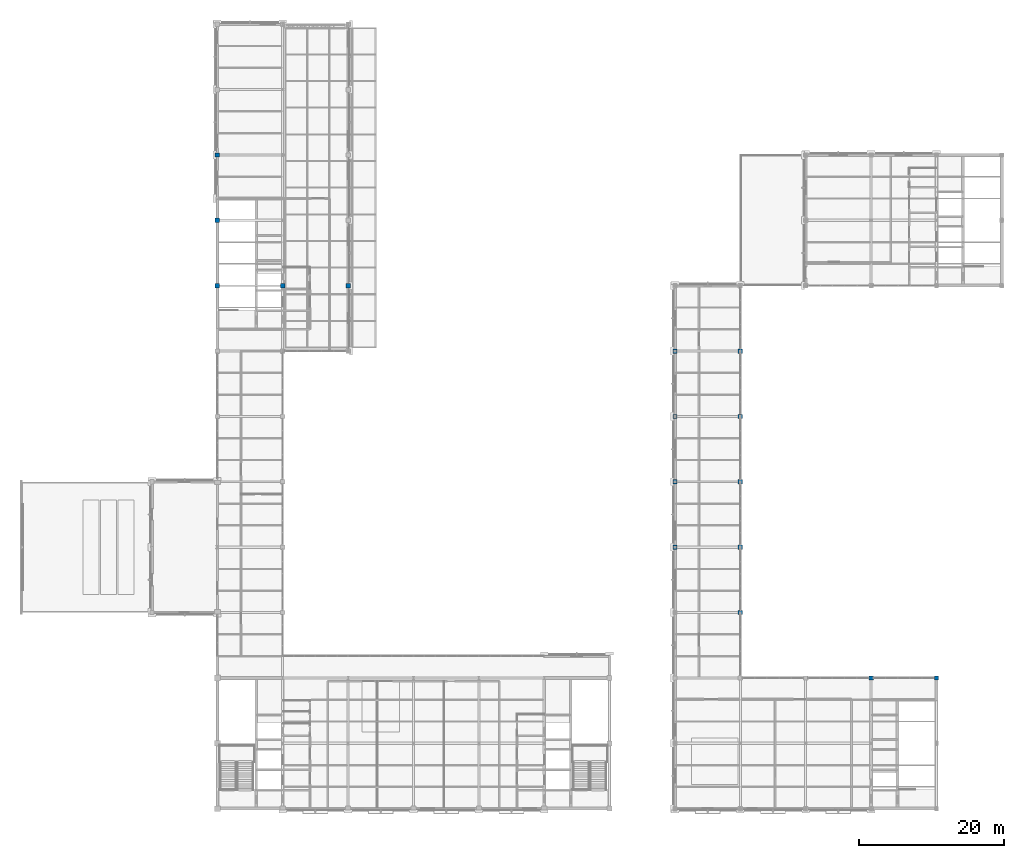
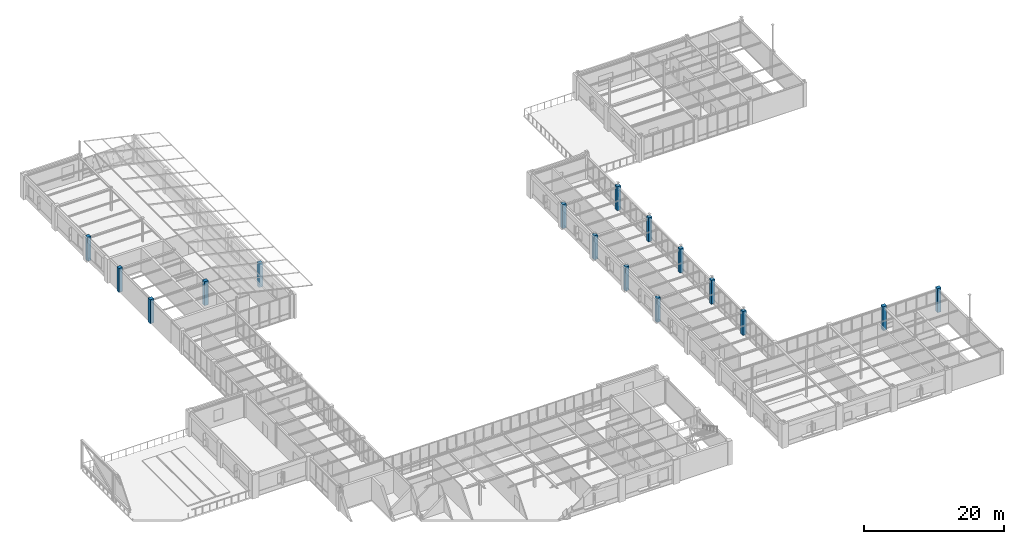
# One storey, part 6 of 97: 16 columns.
"""IFC4 building model written with IfcOpenShell, lengths in metres."""

from ifc_helpers import new_model, si_unit, direction, frame, origin, origin_2d, place, context, subcontext, project, spatial, rectangle, extrude, material, material_profile, profile_set, type_object, element, save


model = new_model("IFC4")

# Units and contexts
model_context = context("Model", 3, precision=1e-05, world=origin(), true_north=direction((0.0, 1.0)))
body_context = subcontext(model_context, "Body", "Model", "MODEL_VIEW")
ifc_project = project(units=[si_unit("LENGTHUNIT", "METRE"), si_unit("AREAUNIT", "SQUARE_METRE"), si_unit("VOLUMEUNIT", "CUBIC_METRE"), si_unit("PLANEANGLEUNIT", "RADIAN"), si_unit("MASSUNIT", "GRAM", prefix="KILO")], contexts=[model_context])

# Site, building, storey
site_placement = place(None, origin())
site = spatial("IfcSite", under=ifc_project, at=site_placement, CompositionType="ELEMENT")
building_placement = place(site_placement, origin())
building = spatial("IfcBuilding", under=site, at=building_placement, Name="Lykobir Media Centre", CompositionType="ELEMENT")
storey_placement = place(building_placement, frame((0.0, 0.0, 23.39990234375)))
storey = spatial("IfcBuildingStorey", under=building, at=storey_placement, Name="L05", CompositionType="ELEMENT", Elevation=23.39990234375)

# Columns
ifc_material = material(Name="Concrete C40/50", Category="concrete")
ifc_material_profile_1 = material_profile(ifc_material, rectangle(XDim=0.60009765625, YDim=0.60009765625, at=origin_2d()), Name="RC 600x600")
ifc_profile_set_1 = profile_set([ifc_material_profile_1], Name="Concrete C40/50")
column_type_1 = type_object("IfcColumnType", Name="RC-C600", PredefinedType="COLUMN", material=ifc_profile_set_1)
for number, where, z_axis, x_axis, name in (
    (1, (27.0, 72.0, 0.0), (0.0, 0.0, 1.0), (1.0, 0.0, 0.0), "Column COL-L05-0270-0720"),
    (2, (27.0, 81.0, 0.0), (0.0, 0.0, 1.0), (1.0, 0.0, 0.0), "Column COL-L05-0270-0810"),
    (3, (27.0, 90.0, 0.0), (0.0, 0.0, 1.0), (1.0, 0.0, 0.0), "Column COL-L05-0270-0900"),
    (4, (36.0, 72.0, 0.0), (0.0, 0.0, 1.0), (1.0, 0.0, 0.0), "Column COL-L05-0360-0720"),
    (5, (45.0, 72.0, 0.0), (0.0, 0.0, 1.0), (1.0, 0.0, 0.0), "Column COL-L05-0450-0720"),
    (6, (99.0, 27.0, 0.0), (0.0, 0.0, 1.0), (1.0, 0.0, 0.0), "Column COL-L05-0990-0270"),
    (7, (99.0, 36.0, 0.0), (0.0, 0.0, 1.0), (1.0, 0.0, 0.0), "Column COL-L05-0990-0360"),
    (8, (99.0, 45.0, 0.0), (0.0, 0.0, 1.0), (1.0, 0.0, 0.0), "Column COL-L05-0990-0450"),
    (9, (99.0, 54.0, 0.0), (0.0, 0.0, 1.0), (1.0, 0.0, 0.0), "Column COL-L05-0990-0540"),
    (10, (99.0, 63.0, 0.0), (0.0, 0.0, 1.0), (1.0, 0.0, 0.0), "Column COL-L05-0990-0630"),
    (11, (117.0, 18.0, 0.0), (0.0, 0.0, 1.0), (1.0, 0.0, 0.0), "Column COL-L05-1170-0180"),
    (12, (126.0, 18.0, 0.0), (0.0, 0.0, 1.0), (1.0, 0.0, 0.0), "Column COL-L05-1260-0180"),
):
    element("IfcColumn", number, at=place(storey_placement, frame(where, z_axis=z_axis, x_axis=x_axis)), inside=storey, type_object=column_type_1, Name=name, PredefinedType="COLUMN", context=body_context, shape_type="SweptSolid", body=[
        extrude(rectangle(XDim=0.60009765625, YDim=0.60009765625, at=origin_2d()), origin(), (0.0, 0.0, 1.0), 4.2001953125),
    ])
ifc_material_profile_2 = material_profile(ifc_material, rectangle(XDim=0.60009765625, YDim=0.60009765625, at=origin_2d()), Name="RC 600x600")
ifc_profile_set_2 = profile_set([ifc_material_profile_2], Name="Concrete C40/50")
column_type_2 = type_object("IfcColumnType", Name="RC-C600-E", PredefinedType="COLUMN", material=ifc_profile_set_2)
for number, where, z_axis, x_axis, name in (
    (13, (90.0, 36.0, 0.0), (0.0, 0.0, 1.0), (1.0, 0.0, 0.0), "Column COL-L05-0900-0360"),
    (14, (90.0, 45.0, 0.0), (0.0, 0.0, 1.0), (1.0, 0.0, 0.0), "Column COL-L05-0900-0450"),
    (15, (90.0, 54.0, 0.0), (0.0, 0.0, 1.0), (1.0, 0.0, 0.0), "Column COL-L05-0900-0540"),
    (16, (90.0, 63.0, 0.0), (0.0, 0.0, 1.0), (1.0, 0.0, 0.0), "Column COL-L05-0900-0630"),
):
    element("IfcColumn", number, at=place(storey_placement, frame(where, z_axis=z_axis, x_axis=x_axis)), inside=storey, type_object=column_type_2, Name=name, PredefinedType="COLUMN", context=body_context, shape_type="SweptSolid", body=[
        extrude(rectangle(XDim=0.60009765625, YDim=0.60009765625, at=origin_2d()), origin(), (0.0, 0.0, 1.0), 4.2001953125),
    ])

save(model, "model.ifc")
